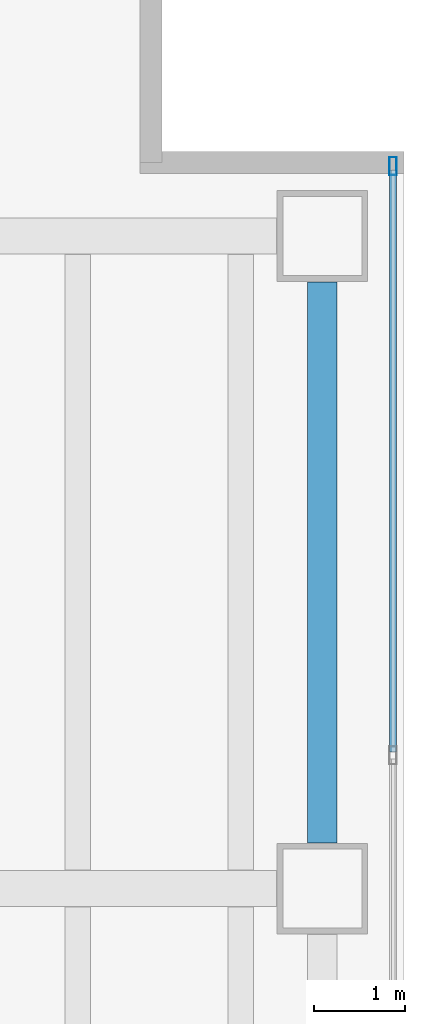
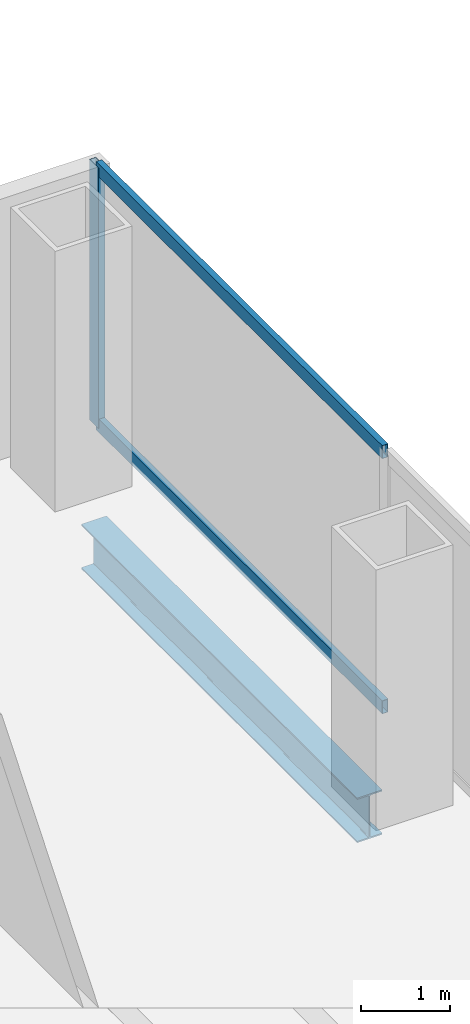
# One storey, part 13 of 23: 3 members, 1 beam, 1 element without a shape of its own.
"""IFC4 building model written with IfcOpenShell, lengths in metres."""

from ifc_helpers import new_model, si_unit, direction, frame, origin, origin_2d, place, context, subcontext, project, spatial, hollow_rectangle, i_section, extrude, material, material_profile, profile_set, type_object, element, aggregate, save


model = new_model("IFC4")

# Units and contexts
model_context = context("Model", 3, precision=1e-05, world=origin(), true_north=direction((0.0, 1.0)))
body_context = subcontext(model_context, "Body", "Model", "MODEL_VIEW")
ifc_project = project(units=[si_unit("LENGTHUNIT", "METRE"), si_unit("AREAUNIT", "SQUARE_METRE"), si_unit("VOLUMEUNIT", "CUBIC_METRE"), si_unit("PLANEANGLEUNIT", "RADIAN"), si_unit("MASSUNIT", "GRAM", prefix="KILO")], contexts=[model_context])

# Site, building, storey
site_placement = place(None, origin())
site = spatial("IfcSite", under=ifc_project, at=site_placement, CompositionType="ELEMENT")
building_placement = place(site_placement, origin())
building = spatial("IfcBuilding", under=site, at=building_placement, Name="Cobrela Telecom Tower", CompositionType="ELEMENT")
storey_placement = place(building_placement, frame((0.0, 0.0, 54.25)))
storey = spatial("IfcBuildingStorey", under=building, at=storey_placement, Name="L13", CompositionType="ELEMENT", Elevation=54.25)

# Beam
ifc_material_1 = material(Name="Steel ASTM A992 Grade 50", Category="steel")
ifc_material_profile_1 = material_profile(ifc_material_1, i_section(OverallWidth=0.324951171875, OverallDepth=0.612060546875, WebThickness=0.0126953125, FlangeThickness=0.01904296875, FilletRadius=0.014892578125, at=origin_2d()), Name="W24X104")
ifc_profile_set_1 = profile_set([ifc_material_profile_1], Name="Steel ASTM A992 Grade 50")
beam_type = type_object("IfcBeamType", Name="BM-SPAND-02", PredefinedType="SPANDREL", material=ifc_profile_set_1)
beam_placement = place(storey_placement, frame((49.5, 14.905029296875, -0.5859375), z_axis=(0.0, 1.0, 0.0), x_axis=(-1.0, 0.0, 0.0)))
element("IfcBeam", 1, at=beam_placement, inside=storey, type_object=beam_type, Name="L13 Perimeter Spandrel Y57", PredefinedType="SPANDREL", context=body_context, shape_type="SweptSolid", body=[
    extrude(i_section(OverallWidth=0.324951171875, OverallDepth=0.612060546875, WebThickness=0.0126953125, FlangeThickness=0.01904296875, FilletRadius=0.014892578125, at=origin_2d()), origin(), (0.0, 0.0, 1.0), 6.18994140625),
])

# Curtain wall, members
ifc_material_2 = material(Name="Anodized Bronze Aluminium 6063-T6", Category="aluminium")
curtain_wall_type = type_object("IfcCurtainWallType", Name="CW-SYS-DATA", PredefinedType="USERDEFINED", material=ifc_material_2)
curtain_wall_placement = place(storey_placement, origin())
curtain_wall = element("IfcCurtainWall", 2, at=curtain_wall_placement, inside=storey, type_object=curtain_wall_type, Name="L13 Unitised Bronze Curtain Wall 14", ObjectType="UNITISED CURTAIN WALL", PredefinedType="USERDEFINED")
ifc_material_profile_2 = material_profile(ifc_material_2, hollow_rectangle(XDim=0.080078125, YDim=0.199951171875, WallThickness=0.00390625, at=origin_2d()), Name="ALU 80x200x4")
ifc_profile_set_2 = profile_set([ifc_material_profile_2], Name="Anodized Bronze Aluminium 6063-T6")
member_type_1 = type_object("IfcMemberType", Name="CW-SYS-DATA-MUL", PredefinedType="MULLION", material=ifc_profile_set_2)
member_1_placement = place(storey_placement, frame((50.280029296875, 22.3701171875, 0.0), z_axis=(0.0, 0.0, 1.0), x_axis=(1.0, 0.0, 0.0)))
member_1 = element("IfcMember", 3, at=member_1_placement, type_object=member_type_1, Name="CW-DATA mullion 1", PredefinedType="MULLION", context=body_context, shape_type="SweptSolid", body=[
    extrude(hollow_rectangle(XDim=0.080078125, YDim=0.199951171875, WallThickness=0.00390625, at=origin_2d()), origin(), (0.0, 0.0, 1.0), 3.570068359375),
])
ifc_material_profile_3 = material_profile(ifc_material_2, hollow_rectangle(XDim=0.074951171875, YDim=0.179931640625, WallThickness=0.00390625, at=origin_2d()), Name="ALU 75x180x4")
ifc_profile_set_3 = profile_set([ifc_material_profile_3], Name="Anodized Bronze Aluminium 6063-T6")
member_type_2 = type_object("IfcMemberType", Name="CW-SYS-DATA-TRN", PredefinedType="USERDEFINED", material=ifc_profile_set_3)
member_2_placement = place(storey_placement, frame((50.280029296875, 22.330078125, 0.03759765625), z_axis=(0.0, -1.0, 0.0), x_axis=(1.0, 0.0, 0.0)))
member_2 = element("IfcMember", 4, at=member_2_placement, type_object=member_type_2, Name="CW-DATA transom 1.1", ObjectType="TRANSOM", PredefinedType="USERDEFINED", context=body_context, shape_type="SweptSolid", body=[
    extrude(hollow_rectangle(XDim=0.074951171875, YDim=0.179931640625, WallThickness=0.00390625, at=origin_2d()), origin(), (0.0, 0.0, 1.0), 6.420166015625),
])
member_3_placement = place(storey_placement, frame((50.280029296875, 22.330078125, 3.532470703125), z_axis=(0.0, -1.0, 0.0), x_axis=(1.0, 0.0, 0.0)))
member_3 = element("IfcMember", 5, at=member_3_placement, type_object=member_type_2, Name="CW-DATA transom 1.2", ObjectType="TRANSOM", PredefinedType="USERDEFINED", context=body_context, shape_type="SweptSolid", body=[
    extrude(hollow_rectangle(XDim=0.074951171875, YDim=0.179931640625, WallThickness=0.00390625, at=origin_2d()), origin(), (0.0, 0.0, 1.0), 6.420166015625),
])
aggregate(curtain_wall, [member_1, member_2, member_3])

save(model, "model.ifc")
